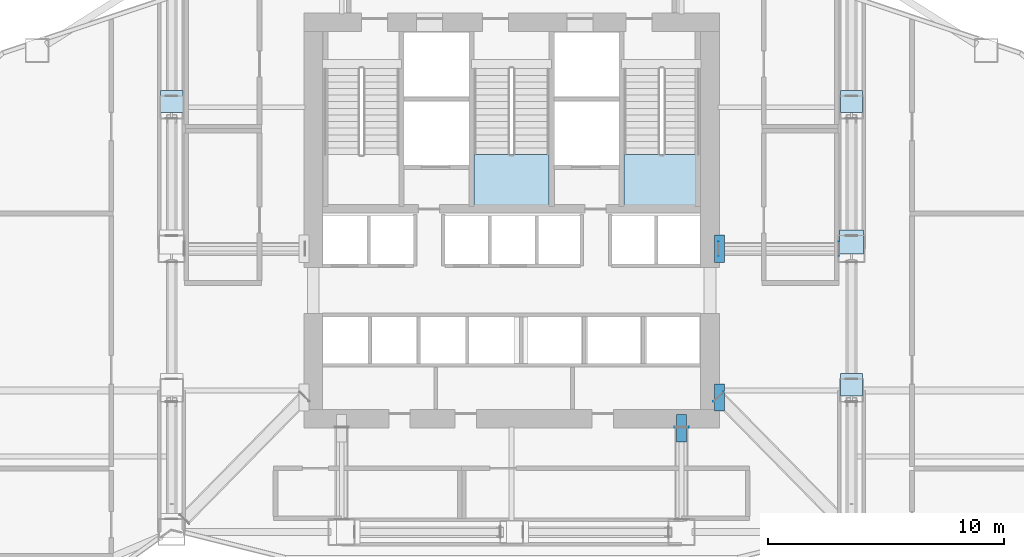
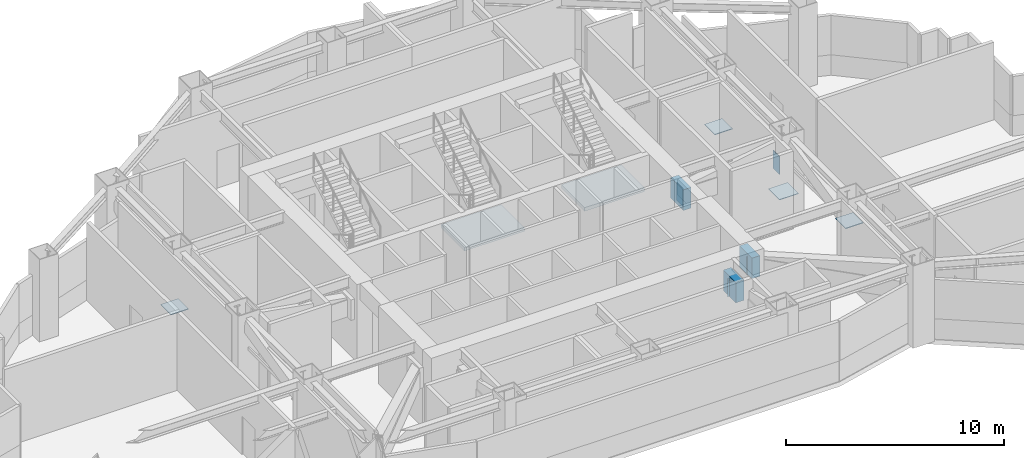
# One storey, part 5 of 23: 11 plates, 2 slabs, 2 elements without a shape of their own.
"""IFC4 building model written with IfcOpenShell, lengths in metres."""

import ifcopenshell
import ifcopenshell.guid

model = None  # the IFC model being written
_history = None  # IfcOwnerHistory: only IFC2X3 demands one
_inside = {}  # id of a spatial element -> (the spatial element, [elements in it])
_under = {}  # id of a project, library or spatial element -> (it, [spatial elements below it])
_declared = {}  # id of a project -> (the project, [libraries it declares])
_typed = {}  # id of a type object -> (the type object, [elements of that type])
_made_of = {}  # id of a material, layer set ... -> (it, [elements and type objects made of it])


def new_model(schema):
    """Start an empty IFC model of exactly this schema.

    Asked for "IFC4X3", IfcOpenShell would pick the latest addendum, in which some entities
    have other attributes; the version numbers below select the first issue.
    IFC2X3 requires an IfcOwnerHistory on every rooted entity: one is made here for all.
    """
    global model, _history
    if schema == "IFC4X3":
        model = ifcopenshell.file(schema_version=(4, 3, 0, 0))
    else:
        model = ifcopenshell.file(schema=schema)
    _inside.clear()
    _under.clear()
    _declared.clear()
    _typed.clear()
    _made_of.clear()
    _history = None
    if model.schema == "IFC2X3":
        org = make("IfcOrganization", Name="unknown")
        user = make(
            "IfcPersonAndOrganization",
            ThePerson=make("IfcPerson", FamilyName="unknown"),
            TheOrganization=org,
        )
        app = make(
            "IfcApplication",
            ApplicationDeveloper=org,
            Version="unknown",
            ApplicationFullName="unknown",
            ApplicationIdentifier="unknown",
        )
        _history = make(
            "IfcOwnerHistory",
            OwningUser=user,
            OwningApplication=app,
            ChangeAction="ADDED",
            CreationDate=0,
        )
    return model


def make(cls, **values):
    """One entity of the class cls with the attributes given. An attribute that is None is left unset."""
    return model.create_entity(
        cls, **{name: value for name, value in values.items() if value is not None}
    )


def rooted(cls, **values):
    """An entity with a GlobalId (a new one), such as an element, a storey or a relation."""
    return make(cls, GlobalId=ifcopenshell.guid.new(), OwnerHistory=_history, **values)


def si_unit(unit_type, name, prefix=None):
    """IfcSIUnit, for example si_unit("LENGTHUNIT", "METRE", prefix="MILLI")."""
    return make("IfcSIUnit", UnitType=unit_type, Prefix=prefix, Name=name)


def assignment(units):
    """IfcUnitAssignment: the units of a project."""
    return None if units is None else make("IfcUnitAssignment", Units=units)


def point(xyz):
    """IfcCartesianPoint."""
    return None if xyz is None else make("IfcCartesianPoint", Coordinates=xyz)


def direction(xyz):
    """IfcDirection."""
    return None if xyz is None else make("IfcDirection", DirectionRatios=xyz)


def frame(location, z_axis=None, x_axis=None):
    """IfcAxis2Placement3D, a coordinate frame: its origin and axes. An axis left out is left unset."""
    return make(
        "IfcAxis2Placement3D",
        Location=point(location),
        Axis=direction(z_axis),
        RefDirection=direction(x_axis),
    )


def frame_2d(location, x_axis=None):
    """IfcAxis2Placement2D, a coordinate frame in the plane: its origin and x axis."""
    return make(
        "IfcAxis2Placement2D", Location=point(location), RefDirection=direction(x_axis)
    )


def origin():
    """The frame at (0, 0, 0) with its axes left unset."""
    return frame((0.0, 0.0, 0.0))


def origin_2d():
    """The frame at (0, 0) in the plane with its x axis left unset."""
    return frame_2d((0.0, 0.0))


def place(relative_to, where):
    """IfcLocalPlacement: puts the frame where relative to a parent placement (None: the world)."""
    return make(
        "IfcLocalPlacement", PlacementRelTo=relative_to, RelativePlacement=where
    )


def context(
    kind, dimensions, precision=None, world=None, true_north=None, identifier=None
):
    """IfcGeometricRepresentationContext, for example the 3D "Model" context."""
    return make(
        "IfcGeometricRepresentationContext",
        ContextIdentifier=identifier,
        ContextType=kind,
        CoordinateSpaceDimension=dimensions,
        Precision=precision,
        WorldCoordinateSystem=world,
        TrueNorth=true_north,
    )


def subcontext(parent, identifier, kind, view, scale=None):
    """IfcGeometricRepresentationSubContext, for example "Body" below "Model"."""
    return make(
        "IfcGeometricRepresentationSubContext",
        ContextIdentifier=identifier,
        ContextType=kind,
        ParentContext=parent,
        TargetScale=scale,
        TargetView=view,
    )


def project(units=None, contexts=None):
    """IfcProject with its units and contexts."""
    return rooted(
        "IfcProject",
        Name="project",
        RepresentationContexts=contexts,
        UnitsInContext=assignment(units),
    )


def spatial(cls, under=None, at=None, **own):
    """A site, building, storey or space (cls), placed at a placement, below another one or the project."""
    s = rooted(cls, ObjectPlacement=at, **own)
    if under is not None:
        _under.setdefault(under.id(), (under, []))[1].append(s)
    return s


def polyline(points):
    """IfcPolyline through the points."""
    return make("IfcPolyline", Points=[point(p) for p in points])


def profile(cls, at=None, kind="AREA", **sizes):
    """A parametric profile (cls). Its sizes go by their IFC names, for example OverallWidth=200.0."""
    return make(cls, ProfileType=kind, Position=at, **sizes)


def rectangle(**sizes):
    """IfcRectangleProfileDef."""
    return profile("IfcRectangleProfileDef", **sizes)


def outline(outer, holes=None, kind="AREA"):
    """IfcArbitraryClosedProfileDef: a profile drawn as a closed curve; with holes, ...WithVoids."""
    if holes is None:
        return make("IfcArbitraryClosedProfileDef", ProfileType=kind, OuterCurve=outer)
    return make(
        "IfcArbitraryProfileDefWithVoids",
        ProfileType=kind,
        OuterCurve=outer,
        InnerCurves=holes,
    )


def extrude(swept, where, along, depth):
    """IfcExtrudedAreaSolid: the profile swept, set in the frame where, extruded along a direction by depth."""
    return make(
        "IfcExtrudedAreaSolid",
        SweptArea=swept,
        Position=where,
        ExtrudedDirection=direction(along),
        Depth=depth,
    )


def shape(context_of_items, identifier, shape_type, items):
    """IfcShapeRepresentation: the items that make up one representation, for example the "Body"."""
    return make(
        "IfcShapeRepresentation",
        ContextOfItems=context_of_items,
        RepresentationIdentifier=identifier,
        RepresentationType=shape_type,
        Items=items,
    )


def material(Name=None, Category=None):
    """IfcMaterial."""
    return make("IfcMaterial", Name=Name, Category=Category)


def layer(
    of_material, thickness, ventilated=None, Name=None, Category=None, Priority=None
):
    """IfcMaterialLayer: one layer of a wall or slab, of a material (None: an air gap)."""
    return make(
        "IfcMaterialLayer",
        Material=of_material,
        LayerThickness=thickness,
        IsVentilated=ventilated,
        Name=Name,
        Category=Category,
        Priority=Priority,
    )


def layer_set(layers, Name=None):
    """IfcMaterialLayerSet."""
    return make("IfcMaterialLayerSet", MaterialLayers=layers, LayerSetName=Name)


def made_of(thing, what):
    """Note that an element or type object is made of a material, layer set ...; save() writes the relation."""
    if what is not None:
        _made_of.setdefault(what.id(), (what, []))[1].append(thing)
    return thing


def type_object(cls, material=None, **own):
    """A type object (cls), such as IfcWallType, which elements share."""
    return made_of(rooted(cls, **own), material)


def element(
    cls,
    number,
    at=None,
    inside=None,
    cuts=None,
    type_object=None,
    material=None,
    context=None,
    identifier="Body",
    shape_type=None,
    held_by="IfcProductDefinitionShape",
    body=None,
    shapes=None,
    **own,
):
    """One element of the class cls, such as IfcWall. Its Tag is "e" and its number.

    at: its placement. inside: the storey or other place that contains it. cuts: it is an
    opening in that element (IfcRelVoidsElement). A single representation is given by context,
    identifier, shape_type and body (its items); several are given by shapes. held_by: the class
    of the entity that holds the representations. save() writes the other relations.
    """
    e = rooted(cls, Tag="e%d" % number, ObjectPlacement=at, **own)
    if body is not None:
        shapes = [shape(context, identifier, shape_type, body)]
    if shapes is not None:
        e.Representation = make(held_by, Representations=shapes)
    if inside is not None:
        _inside.setdefault(inside.id(), (inside, []))[1].append(e)
    if cuts is not None:
        rooted(
            "IfcRelVoidsElement", RelatingBuildingElement=cuts, RelatedOpeningElement=e
        )
    if type_object is not None:
        _typed.setdefault(type_object.id(), (type_object, []))[1].append(e)
    return made_of(e, material)


def aggregate(whole, parts):
    """IfcRelAggregates: a whole, such as a stair, and the parts it consists of."""
    return rooted("IfcRelAggregates", RelatingObject=whole, RelatedObjects=parts)


def save(model, path):
    """Write the relations noted so far, then the file.

    IfcRelAggregates (storeys below a building ...), IfcRelContainedInSpatialStructure (elements
    in a storey), IfcRelDefinesByType, IfcRelAssociatesMaterial and IfcRelDeclares: one each for
    every whole, place, type object, material and project.
    """
    for whole, parts in _under.values():
        aggregate(whole, parts)
    for where, things in _inside.values():
        rooted(
            "IfcRelContainedInSpatialStructure",
            RelatedElements=things,
            RelatingStructure=where,
        )
    for kind, things in _typed.values():
        rooted("IfcRelDefinesByType", RelatedObjects=things, RelatingType=kind)
    for what, things in _made_of.values():
        rooted("IfcRelAssociatesMaterial", RelatedObjects=things, RelatingMaterial=what)
    for by, libraries in _declared.values():
        rooted("IfcRelDeclares", RelatingContext=by, RelatedDefinitions=libraries)
    model.write(path)


model = new_model("IFC4")

# Units and contexts
model_context = context("Model", 3, precision=1e-05, world=origin(), true_north=direction((0.0, 1.0)))
body_context = subcontext(model_context, "Body", "Model", "MODEL_VIEW")
ifc_project = project(units=[si_unit("LENGTHUNIT", "METRE"), si_unit("AREAUNIT", "SQUARE_METRE"), si_unit("VOLUMEUNIT", "CUBIC_METRE"), si_unit("PLANEANGLEUNIT", "RADIAN"), si_unit("MASSUNIT", "GRAM", prefix="KILO")], contexts=[model_context])

# Site, building, storey
site_placement = place(None, origin())
site = spatial("IfcSite", under=ifc_project, at=site_placement, CompositionType="ELEMENT")
building_placement = place(site_placement, origin())
building = spatial("IfcBuilding", under=site, at=building_placement, Name="Haolan Belvedere Tower", CompositionType="ELEMENT")
storey_placement = place(building_placement, frame((0.0, 0.0, 89.39990234375)))
storey = spatial("IfcBuildingStorey", under=building, at=storey_placement, Name="L22", CompositionType="ELEMENT", Elevation=89.39990234375)

# Plates
ifc_material_1 = material(Name="Steel Q355B", Category="steel")
ifc_layer_1 = layer(ifc_material_1, 0.02490234375, Name="Steel Q355B")
ifc_layer_set_1 = layer_set([ifc_layer_1], Name="Steel Q355B")
plate_type_1 = type_object("IfcPlateType", Name="PL-CAP-25", PredefinedType="SHEET", material=ifc_layer_set_1)
for number, where, z_axis, x_axis, name in (
    (1, (47.157470703125, 33.60009765625, 2.27490234375), (0.0, 0.0, 1.0), (0.0, -1.0, 0.0), "Hollow steel end-cap plate OR-E1-L22-BC-CAP0"),
    (2, (52.267578125, 33.60009765625, 2.27490234375), (0.0, 0.0, 1.0), (0.0, 1.0, 0.0), "Hollow steel end-cap plate OR-E1-L22-BC-CAP1"),
    (3, (47.170166015625, 27.330322265625, 2.27490234375), (0.0, 0.0, 1.0), (-0.713336076052, -0.700822119088, 0.0), "Hollow steel end-cap plate OR-E2-L22-BC-CAP0"),
    (4, (45.60009765625, 26.04248046875, 2.27490234375), (0.0, 0.0, 1.0), (-1.0, 0.0, 0.0), "Hollow steel end-cap plate OR-S2-L22-BC-CAP0"),
):
    element("IfcPlate", number, at=place(storey_placement, frame(where, z_axis=z_axis, x_axis=x_axis)), inside=storey, type_object=plate_type_1, Name=name, PredefinedType="SHEET", context=body_context, shape_type="SweptSolid", body=[
        extrude(rectangle(XDim=0.590087890625, YDim=0.02490234375, at=origin_2d()), origin(), (0.0, 0.0, 1.0), 1.010009765625),
    ])
ifc_material_2 = material(Name="Steel Q420GJC", Category="steel")
ifc_layer_2 = layer(ifc_material_2, 0.0400390625, Name="Steel Q420GJC")
ifc_layer_set_2 = layer_set([ifc_layer_2], Name="Steel Q420GJC")
plate_type_2 = type_object("IfcPlateType", Name="PL-NODE-NP02", PredefinedType="USERDEFINED", material=ifc_layer_set_2)
for number, where, z_axis, x_axis, name in (
    (5, (47.199951171875, 33.60009765625, 2.275146484375), (0.0, 0.0, 1.0), (1.0, 0.0, 0.0), "NP-02 outrigger truss core-wall cast-in node plate L22 OR-E1"),
    (6, (47.199951171875, 27.300048828125, 2.275146484375), (0.0, 0.0, 1.0), (1.0, 0.0, 0.0), "NP-02 outrigger truss core-wall cast-in node plate L22 OR-E2"),
    (7, (45.60009765625, 26.0, 2.275146484375), (0.0, 0.0, 1.0), (1.0, 0.0, 0.0), "NP-02 outrigger truss core-wall cast-in node plate L22 OR-S2"),
):
    element("IfcPlate", number, at=place(storey_placement, frame(where, z_axis=z_axis, x_axis=x_axis)), inside=storey, type_object=plate_type_2, Name=name, ObjectType="GUSSET", PredefinedType="USERDEFINED", context=body_context, shape_type="SweptSolid", body=[
        extrude(rectangle(XDim=0.419921875, YDim=1.14990234375, at=origin_2d()), origin(), (0.0, 0.0, 1.0), 1.14990234375),
    ])
ifc_material_3 = material(Name="Steel Q390GJC", Category="steel")
ifc_layer_3 = layer(ifc_material_3, 0.035888671875, Name="Steel Q390GJC")
ifc_layer_set_3 = layer_set([ifc_layer_3], Name="Steel Q390GJC")
plate_type_3 = type_object("IfcPlateType", Name="PL-NODE-NP03", PredefinedType="USERDEFINED", material=ifc_layer_set_3)
for number, where, z_axis, x_axis, name in (
    (8, (24.0, 39.844970703125, 0.7822265625), (0.0, 0.0, 1.0), (1.0, 0.0, 0.0), "NP-03 belt truss node plate L22 BT-W4"),
    (9, (52.800048828125, 27.844970703125, 2.80224609375), (0.0, 0.0, 1.0), (1.0, 0.0, 0.0), "NP-03 belt truss node plate L22 BT-E2"),
):
    element("IfcPlate", number, at=place(storey_placement, frame(where, z_axis=z_axis, x_axis=x_axis)), inside=storey, type_object=plate_type_3, Name=name, ObjectType="GUSSET", PredefinedType="USERDEFINED", context=body_context, shape_type="SweptSolid", body=[
        extrude(rectangle(XDim=0.93994140625, YDim=0.93994140625, at=origin_2d()), origin(), (0.0, 0.0, 1.0), 0.035888671875),
    ])
plate_1_placement = place(storey_placement, frame((52.800048828125, 33.882568359375, 0.7822265625), z_axis=(0.0, 0.0, 1.0), x_axis=(1.0, 0.0, 0.0)))
element("IfcPlate", 10, at=plate_1_placement, inside=storey, type_object=plate_type_3, Name="NP-03 belt truss node plate L22 BT-E3", ObjectType="GUSSET", PredefinedType="USERDEFINED", context=body_context, shape_type="SweptSolid", body=[
    extrude(rectangle(XDim=1.010009765625, YDim=1.010009765625, at=origin_2d()), origin(), (0.0, 0.0, 1.0), 0.035888671875),
])
plate_2_placement = place(storey_placement, frame((52.800048828125, 39.844970703125, 0.7822265625), z_axis=(0.0, 0.0, 1.0), x_axis=(1.0, 0.0, 0.0)))
element("IfcPlate", 11, at=plate_2_placement, inside=storey, type_object=plate_type_3, Name="NP-03 belt truss node plate L22 BT-E4", ObjectType="GUSSET", PredefinedType="USERDEFINED", context=body_context, shape_type="SweptSolid", body=[
    extrude(rectangle(XDim=0.93994140625, YDim=0.93994140625, at=origin_2d()), origin(), (0.0, 0.0, 1.0), 0.035888671875),
])

# Stair, slab
ifc_material_4 = material(Name="Concrete C40/50", Category="concrete")
stair_type = type_object("IfcStairType", Name="STR-DL-28R-164", PredefinedType="HALF_TURN_STAIR", material=ifc_material_4)
stair_1_placement = place(storey_placement, origin())
stair_1 = element("IfcStair", 12, at=stair_1_placement, inside=storey, type_object=stair_type, Name="L22 Smokeproof Core Exit Stair ST3", PredefinedType="HALF_TURN_STAIR")
ifc_layer_4 = layer(ifc_material_4, 0.199951171875, Name="Concrete C40/50")
ifc_layer_set_4 = layer_set([ifc_layer_4], Name="Concrete C40/50")
slab_type = type_object("IfcSlabType", Name="SL-LAND-200", PredefinedType="LANDING", material=ifc_layer_set_4)
slab_1_placement = place(storey_placement, frame((0.0, 0.0, 2.10009765625)))
slab_1 = element("IfcSlab", 13, at=slab_1_placement, type_object=slab_type, Name="ST3 landing 1", PredefinedType="LANDING", context=body_context, shape_type="SweptSolid", body=[
    extrude(outline(polyline([(36.81005859375, 37.590087890625), (36.81005859375, 35.449951171875), (39.989990234375, 35.449951171875), (39.989990234375, 37.590087890625), (36.81005859375, 37.590087890625)])), origin(), (0.0, 0.0, 1.0), 0.199951171875),
])
aggregate(stair_1, [slab_1])

stair_2_placement = place(storey_placement, origin())
stair_2 = element("IfcStair", 14, at=stair_2_placement, inside=storey, type_object=stair_type, Name="L22 Smokeproof Core Exit Stair ST2", PredefinedType="HALF_TURN_STAIR")
slab_2_placement = place(storey_placement, frame((0.0, 0.0, 2.10009765625)))
slab_2 = element("IfcSlab", 15, at=slab_2_placement, type_object=slab_type, Name="ST2 landing 1", PredefinedType="LANDING", context=body_context, shape_type="SweptSolid", body=[
    extrude(outline(polyline([(43.169921875, 37.590087890625), (43.169921875, 35.449951171875), (46.35009765625, 35.449951171875), (46.35009765625, 37.590087890625), (43.169921875, 37.590087890625)])), origin(), (0.0, 0.0, 1.0), 0.199951171875),
])
aggregate(stair_2, [slab_2])

save(model, "model.ifc")
